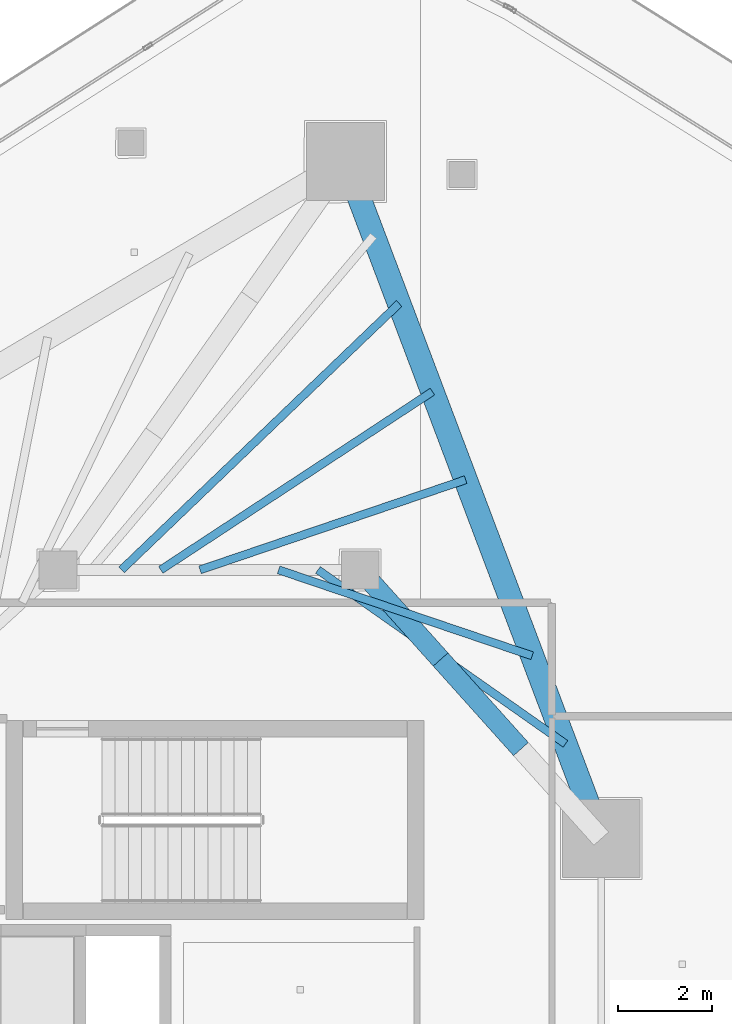
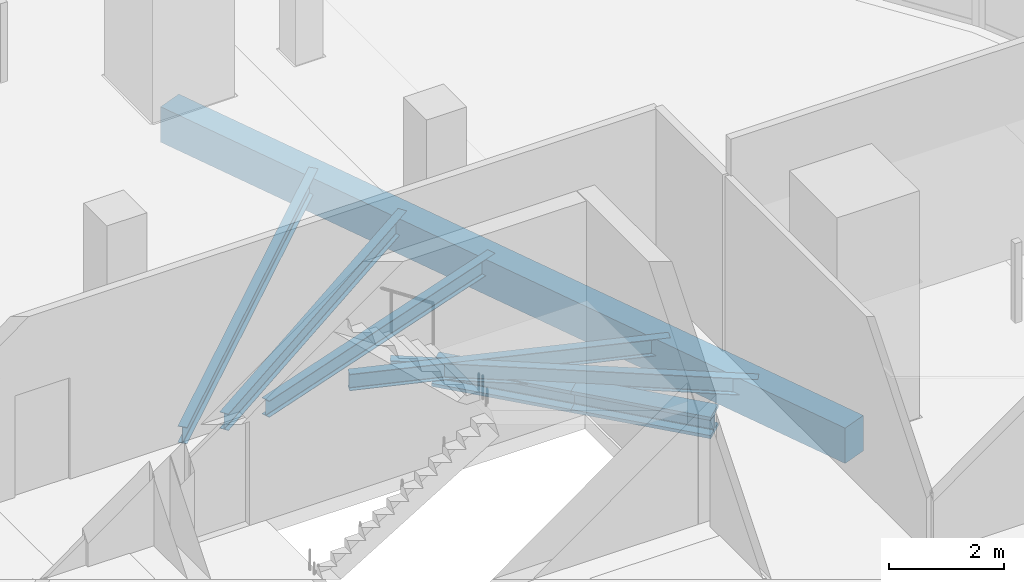
# One storey, part 19 of 36: 6 beams, 2 members.
"""IFC4 building model written with IfcOpenShell, lengths in metres."""

from ifc_helpers import new_model, si_unit, direction, frame, origin, origin_2d, place, context, subcontext, project, spatial, rectangle, i_section, extrude, material, material_profile, profile_set, type_object, element, save


model = new_model("IFC4")

# Units and contexts
model_context = context("Model", 3, precision=1e-05, world=origin(), true_north=direction((0.0, 1.0)))
body_context = subcontext(model_context, "Body", "Model", "MODEL_VIEW")
ifc_project = project(units=[si_unit("LENGTHUNIT", "METRE"), si_unit("AREAUNIT", "SQUARE_METRE"), si_unit("VOLUMEUNIT", "CUBIC_METRE"), si_unit("PLANEANGLEUNIT", "RADIAN"), si_unit("MASSUNIT", "GRAM", prefix="KILO")], contexts=[model_context])

# Site, building, storey
site_placement = place(None, origin())
site = spatial("IfcSite", under=ifc_project, at=site_placement, CompositionType="ELEMENT")
building_placement = place(site_placement, origin())
building = spatial("IfcBuilding", under=site, at=building_placement, Name="Qorvath Tower", CompositionType="ELEMENT")
storey_placement = place(building_placement, frame((0.0, 0.0, 255.0)))
storey = spatial("IfcBuildingStorey", under=building, at=storey_placement, Name="L59", CompositionType="ELEMENT", Elevation=255.0)

# Beams
ifc_material_1 = material(Name="Steel ASTM A992 Grade 50", Category="steel")
ifc_material_profile_1 = material_profile(ifc_material_1, i_section(OverallWidth=0.1708984375, OverallDepth=0.35107421875, WebThickness=0.0068359375, FlangeThickness=0.009765625, FilletRadius=0.010009765625, at=origin_2d()), Name="W14x30")
ifc_profile_set_1 = profile_set([ifc_material_profile_1], Name="Steel ASTM A992 Grade 50")
beam_type_1 = type_object("IfcBeamType", Name="BM-FJ4", PredefinedType="JOIST", material=ifc_profile_set_1)
beam_1_placement = place(storey_placement, frame((-18.095947265625, 11.449951171875, -0.4755859375), z_axis=(0.818093318203, -0.575085491655, 0.0), x_axis=(0.575085491655, 0.818093318203, 0.0)))
element("IfcBeam", 1, at=beam_1_placement, inside=storey, type_object=beam_type_1, Name="Composite Floor Joist NE1 L59", PredefinedType="JOIST", context=body_context, shape_type="SweptSolid", body=[
    extrude(i_section(OverallWidth=0.1708984375, OverallDepth=0.35107421875, WebThickness=0.0068359375, FlangeThickness=0.009765625, FilletRadius=0.010009765625, at=origin_2d()), origin(), (0.0, 0.0, 1.0), 6.40576171875),
])
beam_2_placement = place(storey_placement, frame((-18.927978515625, 11.449951171875, -0.4755859375), z_axis=(0.947086298547, -0.32097903842, 0.0), x_axis=(0.32097903842, 0.947086298547, 0.0)))
element("IfcBeam", 2, at=beam_2_placement, inside=storey, type_object=beam_type_1, Name="Composite Floor Joist NE2 L59", PredefinedType="JOIST", context=body_context, shape_type="SweptSolid", body=[
    extrude(i_section(OverallWidth=0.1708984375, OverallDepth=0.35107421875, WebThickness=0.0068359375, FlangeThickness=0.009765625, FilletRadius=0.010009765625, at=origin_2d()), origin(), (0.0, 0.0, 1.0), 5.66796875),
])
beam_3_placement = place(storey_placement, frame((-20.592041015625, 11.449951171875, -0.4755859375), z_axis=(0.946863164885, 0.321636669216, 0.0), x_axis=(-0.321636669216, 0.946863164885, 0.0)))
element("IfcBeam", 3, at=beam_3_placement, inside=storey, type_object=beam_type_1, Name="Composite Floor Joist NE4 L59", PredefinedType="JOIST", context=body_context, shape_type="SweptSolid", body=[
    extrude(i_section(OverallWidth=0.1708984375, OverallDepth=0.35107421875, WebThickness=0.0068359375, FlangeThickness=0.009765625, FilletRadius=0.010009765625, at=origin_2d()), origin(), (0.0, 0.0, 1.0), 5.93896484375),
])
beam_4_placement = place(storey_placement, frame((-21.424072265625, 11.449951171875, -0.4755859375), z_axis=(0.835992964387, 0.548740160272, 0.0), x_axis=(-0.548740160272, 0.835992964387, 0.0)))
element("IfcBeam", 4, at=beam_4_placement, inside=storey, type_object=beam_type_1, Name="Composite Floor Joist NE5 L59", PredefinedType="JOIST", context=body_context, shape_type="SweptSolid", body=[
    extrude(i_section(OverallWidth=0.1708984375, OverallDepth=0.35107421875, WebThickness=0.0068359375, FlangeThickness=0.009765625, FilletRadius=0.010009765625, at=origin_2d()), origin(), (0.0, 0.0, 1.0), 6.879150390625),
])
beam_5_placement = place(storey_placement, frame((-22.256103515625, 11.449951171875, -0.4755859375), z_axis=(0.721625044611, 0.692284114356, 0.0), x_axis=(-0.692284114356, 0.721625044611, 0.0)))
element("IfcBeam", 5, at=beam_5_placement, inside=storey, type_object=beam_type_1, Name="Composite Floor Joist NE6 L59", PredefinedType="JOIST", context=body_context, shape_type="SweptSolid", body=[
    extrude(i_section(OverallWidth=0.1708984375, OverallDepth=0.35107421875, WebThickness=0.0068359375, FlangeThickness=0.009765625, FilletRadius=0.010009765625, at=origin_2d()), origin(), (0.0, 0.0, 1.0), 8.14599609375),
])
ifc_material_2 = material(Name="Concrete C45/55", Category="concrete")
ifc_material_profile_2 = material_profile(ifc_material_2, rectangle(XDim=0.5, YDim=0.75, at=origin_2d()), Name="RCB 750x500")
ifc_profile_set_2 = profile_set([ifc_material_profile_2], Name="Concrete C45/55")
beam_type_2 = type_object("IfcBeamType", Name="BM-RCB3", PredefinedType="SPANDREL", material=ifc_profile_set_2)
beam_6_placement = place(storey_placement, frame((-12.0966796875, 5.7578125, -0.675048828125), z_axis=(-0.353397781952, 0.935473146441, 0.0), x_axis=(-0.935473146441, -0.353397781952, 0.0)))
element("IfcBeam", 6, at=beam_6_placement, inside=storey, type_object=beam_type_2, Name="Perimeter Loggia Frame Beam MC5-MC6 L59", PredefinedType="SPANDREL", context=body_context, shape_type="SweptSolid", body=[
    extrude(rectangle(XDim=0.5, YDim=0.75, at=origin_2d()), origin(), (0.0, 0.0, 1.0), 15.333251953125),
])

# Members
ifc_material_3 = material(Name="Steel ASTM A913 Grade 65", Category="steel")
ifc_material_profile_3 = material_profile(ifc_material_3, i_section(OverallWidth=0.4189453125, OverallDepth=0.455078125, WebThickness=0.0419921875, FlangeThickness=0.067626953125, FilletRadius=0.02490234375, at=origin_2d()), Name="W14x370")
ifc_profile_set_3 = profile_set([ifc_material_profile_3], Name="Steel ASTM A913 Grade 65")
member_type = type_object("IfcMemberType", Name="MEM-OT2", PredefinedType="CHORD", material=ifc_profile_set_3)
member_1_placement = place(storey_placement, frame((-17.199951171875, 11.449951171875, -0.85009765625), z_axis=(0.66753952077, -0.744574367146, 0.0), x_axis=(0.744574367146, 0.66753952077, 0.0)))
element("IfcMember", 7, at=member_1_placement, inside=storey, type_object=member_type, Name="Outrigger and Belt Truss Top Chord OB3-2.1", PredefinedType="CHORD", context=body_context, shape_type="SweptSolid", body=[
    extrude(i_section(OverallWidth=0.4189453125, OverallDepth=0.455078125, WebThickness=0.0419921875, FlangeThickness=0.067626953125, FilletRadius=0.02490234375, at=origin_2d()), origin(), (0.0, 0.0, 1.0), 2.548095703125),
])
member_2_placement = place(storey_placement, frame((-15.4990234375, 9.552734375, -0.85009765625), z_axis=(0.667545015752, -0.744569440646, 0.0), x_axis=(0.744569440646, 0.667545015752, 0.0)))
element("IfcMember", 8, at=member_2_placement, inside=storey, type_object=member_type, Name="Outrigger and Belt Truss Top Chord OB3-2.2", PredefinedType="CHORD", context=body_context, shape_type="SweptSolid", body=[
    extrude(i_section(OverallWidth=0.4189453125, OverallDepth=0.455078125, WebThickness=0.0419921875, FlangeThickness=0.067626953125, FilletRadius=0.02490234375, at=origin_2d()), origin(), (0.0, 0.0, 1.0), 2.54833984375),
])

save(model, "model.ifc")
